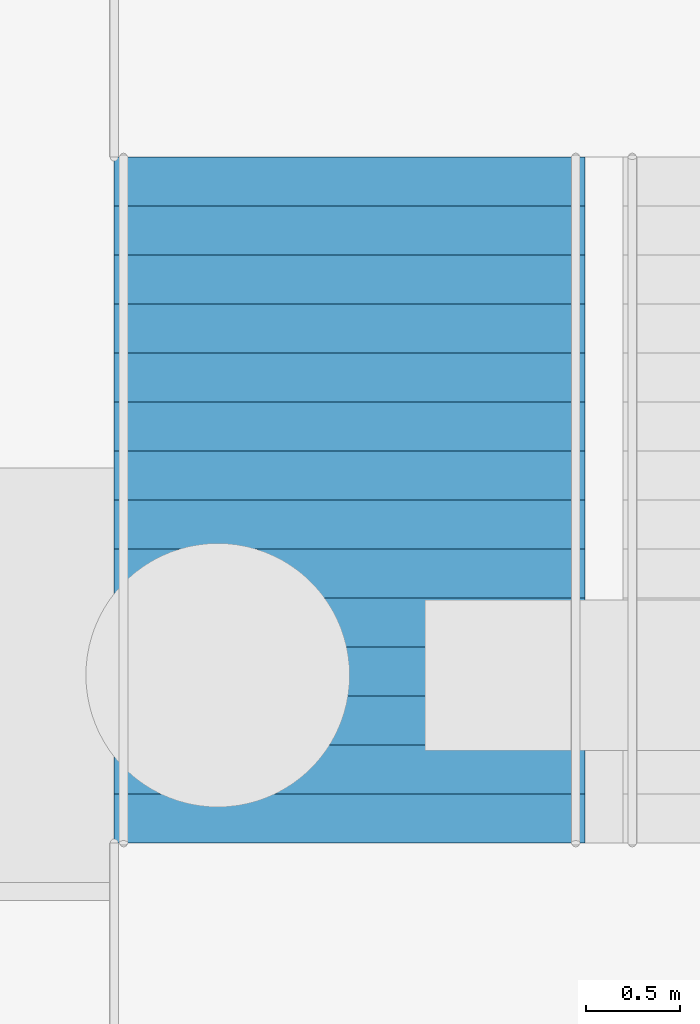
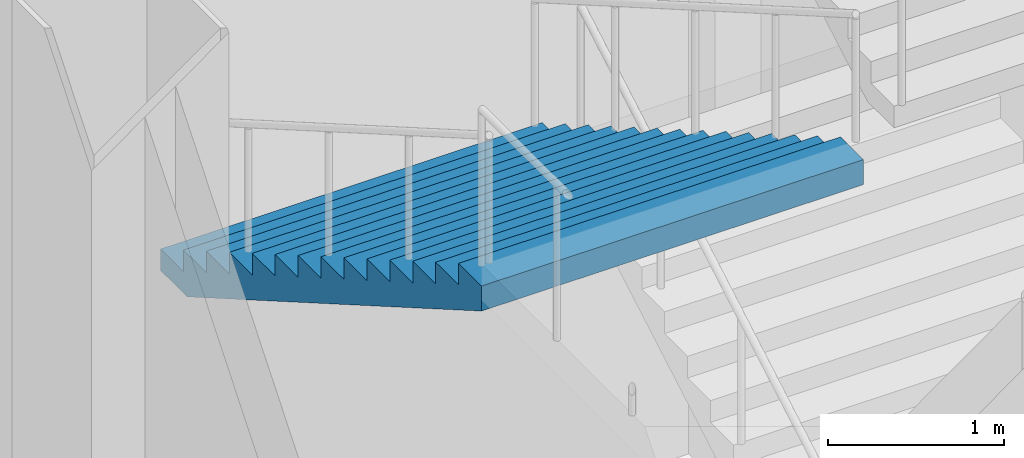
# One storey, part 85 of 113: 1 stair flight, 1 element without a shape of its own.
"""IFC4 building model written with IfcOpenShell, lengths in metres."""

from ifc_helpers import new_model, si_unit, direction, frame, origin, place, context, subcontext, project, spatial, triangles, material, type_object, element, aggregate, save


model = new_model("IFC4")

# Units and contexts
model_context = context("Model", 3, precision=1e-05, world=origin(), true_north=direction((0.0, 1.0)))
body_context = subcontext(model_context, "Body", "Model", "MODEL_VIEW")
ifc_project = project(units=[si_unit("LENGTHUNIT", "METRE"), si_unit("AREAUNIT", "SQUARE_METRE"), si_unit("VOLUMEUNIT", "CUBIC_METRE"), si_unit("PLANEANGLEUNIT", "RADIAN"), si_unit("MASSUNIT", "GRAM", prefix="KILO")], contexts=[model_context])

# Site, building, storey
site_placement = place(None, origin())
site = spatial("IfcSite", under=ifc_project, at=site_placement, CompositionType="ELEMENT")
building_placement = place(site_placement, origin())
building = spatial("IfcBuilding", under=site, at=building_placement, Name="Hakoniwa Tower and Hamabe Station Hall", CompositionType="ELEMENT")
storey_placement = place(building_placement, origin())
storey = spatial("IfcBuildingStorey", under=building, at=storey_placement, Name="L01", CompositionType="ELEMENT", Elevation=0.0)

# Stair, stair flight
ifc_material_1 = material(Name="Concrete C40", Category="concrete")
stair_type = type_object("IfcStairType", Name="STAIR 2500 15X150", PredefinedType="HALF_TURN_STAIR", material=ifc_material_1)
stair_placement = place(storey_placement, origin())
stair = element("IfcStair", 1, at=stair_placement, inside=storey, type_object=stair_type, Name="Escape stair PS2", PredefinedType="HALF_TURN_STAIR")
ifc_material_2 = material(Name="Concrete C40", Category="concrete")
stair_flight_type = type_object("IfcStairFlightType", Name="STAIR FLIGHT 2500", PredefinedType="STRAIGHT", material=ifc_material_2)
stair_flight_placement = place(storey_placement, frame((45.10009765625, 22.35009765625, 4.5), z_axis=(0.0, 0.0, 1.0), x_axis=(0.0, -1.0, 0.0)))
stair_flight = element("IfcStairFlight", 2, at=stair_flight_placement, type_object=stair_flight_type, Name="PS2 flight 3", NumberOfRisers=15, NumberOfTreads=14, PredefinedType="STRAIGHT", RiserHeight=0.15, TreadLength=0.26, context=body_context, shape_type="Tessellation", body=[
    triangles([(0.0, 1.25, 0.0), (0.260009765625, 1.25, 0.0), (0.300048828125, 1.25, 0.0), (0.52001953125, 1.25, 0.126953125), (0.780029296875, 1.25, 0.27685546875), (1.0400390625, 1.25, 0.427001953125), (1.300048828125, 1.25, 0.576904296875), (1.56005859375, 1.25, 0.72705078125), (1.820068359375, 1.25, 0.876953125), (2.080078125, 1.25, 1.02685546875), (2.340087890625, 1.25, 1.177001953125), (2.60009765625, 1.25, 1.326904296875), (2.860107421875, 1.25, 1.47705078125), (3.1201171875, 1.25, 1.626953125), (3.3798828125, 1.25, 1.77685546875), (3.639892578125, 1.25, 1.927001953125), (3.639892578125, 1.25, 2.10009765625), (3.3798828125, 1.25, 2.10009765625), (3.3798828125, 1.25, 1.949951171875), (3.1201171875, 1.25, 1.949951171875), (3.1201171875, 1.25, 1.800048828125), (2.860107421875, 1.25, 1.800048828125), (2.860107421875, 1.25, 1.64990234375), (2.60009765625, 1.25, 1.64990234375), (2.60009765625, 1.25, 1.5), (2.340087890625, 1.25, 1.5), (2.340087890625, 1.25, 1.35009765625), (2.080078125, 1.25, 1.35009765625), (2.080078125, 1.25, 1.199951171875), (1.820068359375, 1.25, 1.199951171875), (1.820068359375, 1.25, 1.050048828125), (1.56005859375, 1.25, 1.050048828125), (1.56005859375, 1.25, 0.89990234375), (1.300048828125, 1.25, 0.89990234375), (1.300048828125, 1.25, 0.75), (1.0400390625, 1.25, 0.75), (1.0400390625, 1.25, 0.60009765625), (0.780029296875, 1.25, 0.60009765625), (0.780029296875, 1.25, 0.449951171875), (0.52001953125, 1.25, 0.449951171875), (0.52001953125, 1.25, 0.300048828125), (0.300048828125, 1.25, 0.300048828125), (0.260009765625, 1.25, 0.300048828125), (0.260009765625, 1.25, 0.14990234375), (0.0, 1.25, 0.14990234375), (0.0, 0.06005859375, 0.0), (0.260009765625, 0.06005859375, 0.0), (0.300048828125, 0.06005859375, 0.0), (0.52001953125, 0.06005859375, 0.126953125), (0.780029296875, 0.06005859375, 0.27685546875), (1.0400390625, 0.06005859375, 0.427001953125), (1.300048828125, 0.06005859375, 0.576904296875), (1.56005859375, 0.06005859375, 0.72705078125), (1.820068359375, 0.06005859375, 0.876953125), (2.080078125, 0.06005859375, 1.02685546875), (2.340087890625, 0.06005859375, 1.177001953125), (2.60009765625, 0.06005859375, 1.326904296875), (2.860107421875, 0.06005859375, 1.47705078125), (3.1201171875, 0.06005859375, 1.626953125), (3.3798828125, 0.06005859375, 1.77685546875), (3.639892578125, 0.06005859375, 1.927001953125), (3.639892578125, 0.06005859375, 2.10009765625), (3.3798828125, 0.06005859375, 2.10009765625), (3.3798828125, 0.06005859375, 1.949951171875), (3.1201171875, 0.06005859375, 1.949951171875), (3.1201171875, 0.06005859375, 1.800048828125), (2.860107421875, 0.06005859375, 1.800048828125), (2.860107421875, 0.06005859375, 1.64990234375), (2.60009765625, 0.06005859375, 1.64990234375), (2.60009765625, 0.06005859375, 1.5), (2.340087890625, 0.06005859375, 1.5), (2.340087890625, 0.06005859375, 1.35009765625), (2.080078125, 0.06005859375, 1.35009765625), (2.080078125, 0.06005859375, 1.199951171875), (1.820068359375, 0.06005859375, 1.199951171875), (1.820068359375, 0.06005859375, 1.050048828125), (1.56005859375, 0.06005859375, 1.050048828125), (1.56005859375, 0.06005859375, 0.89990234375), (1.300048828125, 0.06005859375, 0.89990234375), (1.300048828125, 0.06005859375, 0.75), (1.0400390625, 0.06005859375, 0.75), (1.0400390625, 0.06005859375, 0.60009765625), (0.780029296875, 0.06005859375, 0.60009765625), (0.780029296875, 0.06005859375, 0.449951171875), (0.52001953125, 0.06005859375, 0.449951171875), (0.52001953125, 0.06005859375, 0.300048828125), (0.300048828125, 0.06005859375, 0.300048828125), (0.260009765625, 0.06005859375, 0.300048828125), (0.260009765625, 0.06005859375, 0.14990234375), (0.0, 0.06005859375, 0.14990234375), (0.0, 0.02001953125, 0.0), (0.260009765625, 0.02001953125, 0.0), (0.300048828125, 0.02001953125, 0.0), (0.52001953125, 0.02001953125, 0.126953125), (0.780029296875, 0.02001953125, 0.27685546875), (1.0400390625, 0.02001953125, 0.427001953125), (1.300048828125, 0.02001953125, 0.576904296875), (1.56005859375, 0.02001953125, 0.72705078125), (1.820068359375, 0.02001953125, 0.876953125), (2.080078125, 0.02001953125, 1.02685546875), (2.340087890625, 0.02001953125, 1.177001953125), (2.60009765625, 0.02001953125, 1.326904296875), (2.860107421875, 0.02001953125, 1.47705078125), (3.1201171875, 0.02001953125, 1.626953125), (3.3798828125, 0.02001953125, 1.77685546875), (3.639892578125, 0.02001953125, 1.927001953125), (3.639892578125, 0.02001953125, 2.10009765625), (3.3798828125, 0.02001953125, 2.10009765625), (3.3798828125, 0.02001953125, 1.949951171875), (3.1201171875, 0.02001953125, 1.949951171875), (3.1201171875, 0.02001953125, 1.800048828125), (2.860107421875, 0.02001953125, 1.800048828125), (2.860107421875, 0.02001953125, 1.64990234375), (2.60009765625, 0.02001953125, 1.64990234375), (2.60009765625, 0.02001953125, 1.5), (2.340087890625, 0.02001953125, 1.5), (2.340087890625, 0.02001953125, 1.35009765625), (2.080078125, 0.02001953125, 1.35009765625), (2.080078125, 0.02001953125, 1.199951171875), (1.820068359375, 0.02001953125, 1.199951171875), (1.820068359375, 0.02001953125, 1.050048828125), (1.56005859375, 0.02001953125, 1.050048828125), (1.56005859375, 0.02001953125, 0.89990234375), (1.300048828125, 0.02001953125, 0.89990234375), (1.300048828125, 0.02001953125, 0.75), (1.0400390625, 0.02001953125, 0.75), (1.0400390625, 0.02001953125, 0.60009765625), (0.780029296875, 0.02001953125, 0.60009765625), (0.780029296875, 0.02001953125, 0.449951171875), (0.52001953125, 0.02001953125, 0.449951171875), (0.52001953125, 0.02001953125, 0.300048828125), (0.300048828125, 0.02001953125, 0.300048828125), (0.260009765625, 0.02001953125, 0.300048828125), (0.260009765625, 0.02001953125, 0.14990234375), (0.0, 0.02001953125, 0.14990234375), (0.0, -0.02001953125, 0.0), (0.260009765625, -0.02001953125, 0.0), (0.300048828125, -0.02001953125, 0.0), (0.52001953125, -0.02001953125, 0.126953125), (0.780029296875, -0.02001953125, 0.27685546875), (1.0400390625, -0.02001953125, 0.427001953125), (1.300048828125, -0.02001953125, 0.576904296875), (1.56005859375, -0.02001953125, 0.72705078125), (1.820068359375, -0.02001953125, 0.876953125), (2.080078125, -0.02001953125, 1.02685546875), (2.340087890625, -0.02001953125, 1.177001953125), (2.60009765625, -0.02001953125, 1.326904296875), (2.860107421875, -0.02001953125, 1.47705078125), (3.1201171875, -0.02001953125, 1.626953125), (3.3798828125, -0.02001953125, 1.77685546875), (3.639892578125, -0.02001953125, 1.927001953125), (3.639892578125, -0.02001953125, 2.10009765625), (3.3798828125, -0.02001953125, 2.10009765625), (3.3798828125, -0.02001953125, 1.949951171875), (3.1201171875, -0.02001953125, 1.949951171875), (3.1201171875, -0.02001953125, 1.800048828125), (2.860107421875, -0.02001953125, 1.800048828125), (2.860107421875, -0.02001953125, 1.64990234375), (2.60009765625, -0.02001953125, 1.64990234375), (2.60009765625, -0.02001953125, 1.5), (2.340087890625, -0.02001953125, 1.5), (2.340087890625, -0.02001953125, 1.35009765625), (2.080078125, -0.02001953125, 1.35009765625), (2.080078125, -0.02001953125, 1.199951171875), (1.820068359375, -0.02001953125, 1.199951171875), (1.820068359375, -0.02001953125, 1.050048828125), (1.56005859375, -0.02001953125, 1.050048828125), (1.56005859375, -0.02001953125, 0.89990234375), (1.300048828125, -0.02001953125, 0.89990234375), (1.300048828125, -0.02001953125, 0.75), (1.0400390625, -0.02001953125, 0.75), (1.0400390625, -0.02001953125, 0.60009765625), (0.780029296875, -0.02001953125, 0.60009765625), (0.780029296875, -0.02001953125, 0.449951171875), (0.52001953125, -0.02001953125, 0.449951171875), (0.52001953125, -0.02001953125, 0.300048828125), (0.300048828125, -0.02001953125, 0.300048828125), (0.260009765625, -0.02001953125, 0.300048828125), (0.260009765625, -0.02001953125, 0.14990234375), (0.0, -0.02001953125, 0.14990234375), (0.0, -0.06005859375, 0.0), (0.260009765625, -0.06005859375, 0.0), (0.300048828125, -0.06005859375, 0.0), (0.52001953125, -0.06005859375, 0.126953125), (0.780029296875, -0.06005859375, 0.27685546875), (1.0400390625, -0.06005859375, 0.427001953125), (1.300048828125, -0.06005859375, 0.576904296875), (1.56005859375, -0.06005859375, 0.72705078125), (1.820068359375, -0.06005859375, 0.876953125), (2.080078125, -0.06005859375, 1.02685546875), (2.340087890625, -0.06005859375, 1.177001953125), (2.60009765625, -0.06005859375, 1.326904296875), (2.860107421875, -0.06005859375, 1.47705078125), (3.1201171875, -0.06005859375, 1.626953125), (3.3798828125, -0.06005859375, 1.77685546875), (3.639892578125, -0.06005859375, 1.927001953125), (3.639892578125, -0.06005859375, 2.10009765625), (3.3798828125, -0.06005859375, 2.10009765625), (3.3798828125, -0.06005859375, 1.949951171875), (3.1201171875, -0.06005859375, 1.949951171875), (3.1201171875, -0.06005859375, 1.800048828125), (2.860107421875, -0.06005859375, 1.800048828125), (2.860107421875, -0.06005859375, 1.64990234375), (2.60009765625, -0.06005859375, 1.64990234375), (2.60009765625, -0.06005859375, 1.5), (2.340087890625, -0.06005859375, 1.5), (2.340087890625, -0.06005859375, 1.35009765625), (2.080078125, -0.06005859375, 1.35009765625), (2.080078125, -0.06005859375, 1.199951171875), (1.820068359375, -0.06005859375, 1.199951171875), (1.820068359375, -0.06005859375, 1.050048828125), (1.56005859375, -0.06005859375, 1.050048828125), (1.56005859375, -0.06005859375, 0.89990234375), (1.300048828125, -0.06005859375, 0.89990234375), (1.300048828125, -0.06005859375, 0.75), (1.0400390625, -0.06005859375, 0.75), (1.0400390625, -0.06005859375, 0.60009765625), (0.780029296875, -0.06005859375, 0.60009765625), (0.780029296875, -0.06005859375, 0.449951171875), (0.52001953125, -0.06005859375, 0.449951171875), (0.52001953125, -0.06005859375, 0.300048828125), (0.300048828125, -0.06005859375, 0.300048828125), (0.260009765625, -0.06005859375, 0.300048828125), (0.260009765625, -0.06005859375, 0.14990234375), (0.0, -0.06005859375, 0.14990234375), (0.0, -1.25, 0.0), (0.260009765625, -1.25, 0.0), (0.300048828125, -1.25, 0.0), (0.52001953125, -1.25, 0.126953125), (0.780029296875, -1.25, 0.27685546875), (1.0400390625, -1.25, 0.427001953125), (1.300048828125, -1.25, 0.576904296875), (1.56005859375, -1.25, 0.72705078125), (1.820068359375, -1.25, 0.876953125), (2.080078125, -1.25, 1.02685546875), (2.340087890625, -1.25, 1.177001953125), (2.60009765625, -1.25, 1.326904296875), (2.860107421875, -1.25, 1.47705078125), (3.1201171875, -1.25, 1.626953125), (3.3798828125, -1.25, 1.77685546875), (3.639892578125, -1.25, 1.927001953125), (3.639892578125, -1.25, 2.10009765625), (3.3798828125, -1.25, 2.10009765625), (3.3798828125, -1.25, 1.949951171875), (3.1201171875, -1.25, 1.949951171875), (3.1201171875, -1.25, 1.800048828125), (2.860107421875, -1.25, 1.800048828125), (2.860107421875, -1.25, 1.64990234375), (2.60009765625, -1.25, 1.64990234375), (2.60009765625, -1.25, 1.5), (2.340087890625, -1.25, 1.5), (2.340087890625, -1.25, 1.35009765625), (2.080078125, -1.25, 1.35009765625), (2.080078125, -1.25, 1.199951171875), (1.820068359375, -1.25, 1.199951171875), (1.820068359375, -1.25, 1.050048828125), (1.56005859375, -1.25, 1.050048828125), (1.56005859375, -1.25, 0.89990234375), (1.300048828125, -1.25, 0.89990234375), (1.300048828125, -1.25, 0.75), (1.0400390625, -1.25, 0.75), (1.0400390625, -1.25, 0.60009765625), (0.780029296875, -1.25, 0.60009765625), (0.780029296875, -1.25, 0.449951171875), (0.52001953125, -1.25, 0.449951171875), (0.52001953125, -1.25, 0.300048828125), (0.300048828125, -1.25, 0.300048828125), (0.260009765625, -1.25, 0.300048828125), (0.260009765625, -1.25, 0.14990234375), (0.0, -1.25, 0.14990234375)], [[2, 45, 44], [227, 269, 270], [2, 1, 45], [227, 270, 226], [3, 43, 42], [228, 267, 268], [3, 44, 43], [228, 268, 269], [3, 2, 44], [228, 269, 227], [4, 42, 41], [229, 266, 267], [4, 3, 42], [229, 267, 228], [5, 40, 39], [230, 264, 265], [5, 41, 40], [230, 265, 266], [5, 4, 41], [230, 266, 229], [6, 38, 37], [231, 262, 263], [6, 39, 38], [231, 263, 264], [6, 5, 39], [231, 264, 230], [7, 36, 35], [232, 260, 261], [7, 37, 36], [232, 261, 262], [7, 6, 37], [232, 262, 231], [8, 34, 33], [233, 258, 259], [8, 35, 34], [233, 259, 260], [8, 7, 35], [233, 260, 232], [9, 32, 31], [234, 256, 257], [9, 33, 32], [234, 257, 258], [9, 8, 33], [234, 258, 233], [10, 30, 29], [235, 254, 255], [10, 31, 30], [235, 255, 256], [10, 9, 31], [235, 256, 234], [11, 28, 27], [236, 252, 253], [11, 29, 28], [236, 253, 254], [11, 10, 29], [236, 254, 235], [12, 26, 25], [237, 250, 251], [12, 27, 26], [237, 251, 252], [12, 11, 27], [237, 252, 236], [13, 24, 23], [238, 248, 249], [13, 25, 24], [238, 249, 250], [13, 12, 25], [238, 250, 237], [14, 22, 21], [239, 246, 247], [14, 23, 22], [239, 247, 248], [14, 13, 23], [239, 248, 238], [15, 20, 19], [240, 244, 245], [15, 21, 20], [240, 245, 246], [15, 14, 21], [240, 246, 239], [16, 18, 17], [241, 242, 243], [16, 19, 18], [241, 243, 244], [16, 15, 19], [241, 244, 240], [1, 2, 47], [1, 47, 46], [46, 47, 92], [46, 92, 91], [91, 92, 137], [91, 137, 136], [136, 137, 182], [136, 182, 181], [181, 182, 227], [181, 227, 226], [2, 3, 48], [2, 48, 47], [47, 48, 93], [47, 93, 92], [92, 93, 138], [92, 138, 137], [137, 138, 183], [137, 183, 182], [182, 183, 228], [182, 228, 227], [3, 4, 49], [3, 49, 48], [48, 49, 94], [48, 94, 93], [93, 94, 139], [93, 139, 138], [138, 139, 184], [138, 184, 183], [183, 184, 229], [183, 229, 228], [4, 5, 50], [4, 50, 49], [49, 50, 95], [49, 95, 94], [94, 95, 140], [94, 140, 139], [139, 140, 185], [139, 185, 184], [184, 185, 230], [184, 230, 229], [5, 6, 51], [5, 51, 50], [50, 51, 96], [50, 96, 95], [95, 96, 141], [95, 141, 140], [140, 141, 186], [140, 186, 185], [185, 186, 231], [185, 231, 230], [6, 7, 52], [6, 52, 51], [51, 52, 97], [51, 97, 96], [96, 97, 142], [96, 142, 141], [141, 142, 187], [141, 187, 186], [186, 187, 232], [186, 232, 231], [7, 8, 53], [7, 53, 52], [52, 53, 98], [52, 98, 97], [97, 98, 143], [97, 143, 142], [142, 143, 188], [142, 188, 187], [187, 188, 233], [187, 233, 232], [8, 9, 54], [8, 54, 53], [53, 54, 99], [53, 99, 98], [98, 99, 144], [98, 144, 143], [143, 144, 189], [143, 189, 188], [188, 189, 234], [188, 234, 233], [9, 10, 55], [9, 55, 54], [54, 55, 100], [54, 100, 99], [99, 100, 145], [99, 145, 144], [144, 145, 190], [144, 190, 189], [189, 190, 235], [189, 235, 234], [10, 11, 56], [10, 56, 55], [55, 56, 101], [55, 101, 100], [100, 101, 146], [100, 146, 145], [145, 146, 191], [145, 191, 190], [190, 191, 236], [190, 236, 235], [11, 12, 57], [11, 57, 56], [56, 57, 102], [56, 102, 101], [101, 102, 147], [101, 147, 146], [146, 147, 192], [146, 192, 191], [191, 192, 237], [191, 237, 236], [12, 13, 58], [12, 58, 57], [57, 58, 103], [57, 103, 102], [102, 103, 148], [102, 148, 147], [147, 148, 193], [147, 193, 192], [192, 193, 238], [192, 238, 237], [13, 14, 59], [13, 59, 58], [58, 59, 104], [58, 104, 103], [103, 104, 149], [103, 149, 148], [148, 149, 194], [148, 194, 193], [193, 194, 239], [193, 239, 238], [14, 15, 60], [14, 60, 59], [59, 60, 105], [59, 105, 104], [104, 105, 150], [104, 150, 149], [149, 150, 195], [149, 195, 194], [194, 195, 240], [194, 240, 239], [15, 16, 61], [15, 61, 60], [60, 61, 106], [60, 106, 105], [105, 106, 151], [105, 151, 150], [150, 151, 196], [150, 196, 195], [195, 196, 241], [195, 241, 240], [16, 17, 62], [16, 62, 61], [61, 62, 107], [61, 107, 106], [106, 107, 152], [106, 152, 151], [151, 152, 197], [151, 197, 196], [196, 197, 242], [196, 242, 241], [17, 18, 63], [17, 63, 62], [62, 63, 108], [62, 108, 107], [107, 108, 153], [107, 153, 152], [152, 153, 198], [152, 198, 197], [197, 198, 243], [197, 243, 242], [18, 19, 64], [18, 64, 63], [63, 64, 109], [63, 109, 108], [108, 109, 154], [108, 154, 153], [153, 154, 199], [153, 199, 198], [198, 199, 244], [198, 244, 243], [19, 20, 65], [19, 65, 64], [64, 65, 110], [64, 110, 109], [109, 110, 155], [109, 155, 154], [154, 155, 200], [154, 200, 199], [199, 200, 245], [199, 245, 244], [20, 21, 66], [20, 66, 65], [65, 66, 111], [65, 111, 110], [110, 111, 156], [110, 156, 155], [155, 156, 201], [155, 201, 200], [200, 201, 246], [200, 246, 245], [21, 22, 67], [21, 67, 66], [66, 67, 112], [66, 112, 111], [111, 112, 157], [111, 157, 156], [156, 157, 202], [156, 202, 201], [201, 202, 247], [201, 247, 246], [22, 23, 68], [22, 68, 67], [67, 68, 113], [67, 113, 112], [112, 113, 158], [112, 158, 157], [157, 158, 203], [157, 203, 202], [202, 203, 248], [202, 248, 247], [23, 24, 69], [23, 69, 68], [68, 69, 114], [68, 114, 113], [113, 114, 159], [113, 159, 158], [158, 159, 204], [158, 204, 203], [203, 204, 249], [203, 249, 248], [24, 25, 70], [24, 70, 69], [69, 70, 115], [69, 115, 114], [114, 115, 160], [114, 160, 159], [159, 160, 205], [159, 205, 204], [204, 205, 250], [204, 250, 249], [25, 26, 71], [25, 71, 70], [70, 71, 116], [70, 116, 115], [115, 116, 161], [115, 161, 160], [160, 161, 206], [160, 206, 205], [205, 206, 251], [205, 251, 250], [26, 27, 72], [26, 72, 71], [71, 72, 117], [71, 117, 116], [116, 117, 162], [116, 162, 161], [161, 162, 207], [161, 207, 206], [206, 207, 252], [206, 252, 251], [27, 28, 73], [27, 73, 72], [72, 73, 118], [72, 118, 117], [117, 118, 163], [117, 163, 162], [162, 163, 208], [162, 208, 207], [207, 208, 253], [207, 253, 252], [28, 29, 74], [28, 74, 73], [73, 74, 119], [73, 119, 118], [118, 119, 164], [118, 164, 163], [163, 164, 209], [163, 209, 208], [208, 209, 254], [208, 254, 253], [29, 30, 75], [29, 75, 74], [74, 75, 120], [74, 120, 119], [119, 120, 165], [119, 165, 164], [164, 165, 210], [164, 210, 209], [209, 210, 255], [209, 255, 254], [30, 31, 76], [30, 76, 75], [75, 76, 121], [75, 121, 120], [120, 121, 166], [120, 166, 165], [165, 166, 211], [165, 211, 210], [210, 211, 256], [210, 256, 255], [31, 32, 77], [31, 77, 76], [76, 77, 122], [76, 122, 121], [121, 122, 167], [121, 167, 166], [166, 167, 212], [166, 212, 211], [211, 212, 257], [211, 257, 256], [32, 33, 78], [32, 78, 77], [77, 78, 123], [77, 123, 122], [122, 123, 168], [122, 168, 167], [167, 168, 213], [167, 213, 212], [212, 213, 258], [212, 258, 257], [33, 34, 79], [33, 79, 78], [78, 79, 124], [78, 124, 123], [123, 124, 169], [123, 169, 168], [168, 169, 214], [168, 214, 213], [213, 214, 259], [213, 259, 258], [34, 35, 80], [34, 80, 79], [79, 80, 125], [79, 125, 124], [124, 125, 170], [124, 170, 169], [169, 170, 215], [169, 215, 214], [214, 215, 260], [214, 260, 259], [35, 36, 81], [35, 81, 80], [80, 81, 126], [80, 126, 125], [125, 126, 171], [125, 171, 170], [170, 171, 216], [170, 216, 215], [215, 216, 261], [215, 261, 260], [36, 37, 82], [36, 82, 81], [81, 82, 127], [81, 127, 126], [126, 127, 172], [126, 172, 171], [171, 172, 217], [171, 217, 216], [216, 217, 262], [216, 262, 261], [37, 38, 83], [37, 83, 82], [82, 83, 128], [82, 128, 127], [127, 128, 173], [127, 173, 172], [172, 173, 218], [172, 218, 217], [217, 218, 263], [217, 263, 262], [38, 39, 84], [38, 84, 83], [83, 84, 129], [83, 129, 128], [128, 129, 174], [128, 174, 173], [173, 174, 219], [173, 219, 218], [218, 219, 264], [218, 264, 263], [39, 40, 85], [39, 85, 84], [84, 85, 130], [84, 130, 129], [129, 130, 175], [129, 175, 174], [174, 175, 220], [174, 220, 219], [219, 220, 265], [219, 265, 264], [40, 41, 86], [40, 86, 85], [85, 86, 131], [85, 131, 130], [130, 131, 176], [130, 176, 175], [175, 176, 221], [175, 221, 220], [220, 221, 266], [220, 266, 265], [41, 42, 87], [41, 87, 86], [86, 87, 132], [86, 132, 131], [131, 132, 177], [131, 177, 176], [176, 177, 222], [176, 222, 221], [221, 222, 267], [221, 267, 266], [42, 43, 88], [42, 88, 87], [87, 88, 133], [87, 133, 132], [132, 133, 178], [132, 178, 177], [177, 178, 223], [177, 223, 222], [222, 223, 268], [222, 268, 267], [43, 44, 89], [43, 89, 88], [88, 89, 134], [88, 134, 133], [133, 134, 179], [133, 179, 178], [178, 179, 224], [178, 224, 223], [223, 224, 269], [223, 269, 268], [44, 45, 90], [44, 90, 89], [89, 90, 135], [89, 135, 134], [134, 135, 180], [134, 180, 179], [179, 180, 225], [179, 225, 224], [224, 225, 270], [224, 270, 269], [45, 1, 46], [45, 46, 90], [90, 46, 91], [90, 91, 135], [135, 91, 136], [135, 136, 180], [180, 136, 181], [180, 181, 225], [225, 181, 226], [225, 226, 270]], closed=True),
])
aggregate(stair, [stair_flight])

save(model, "model.ifc")
